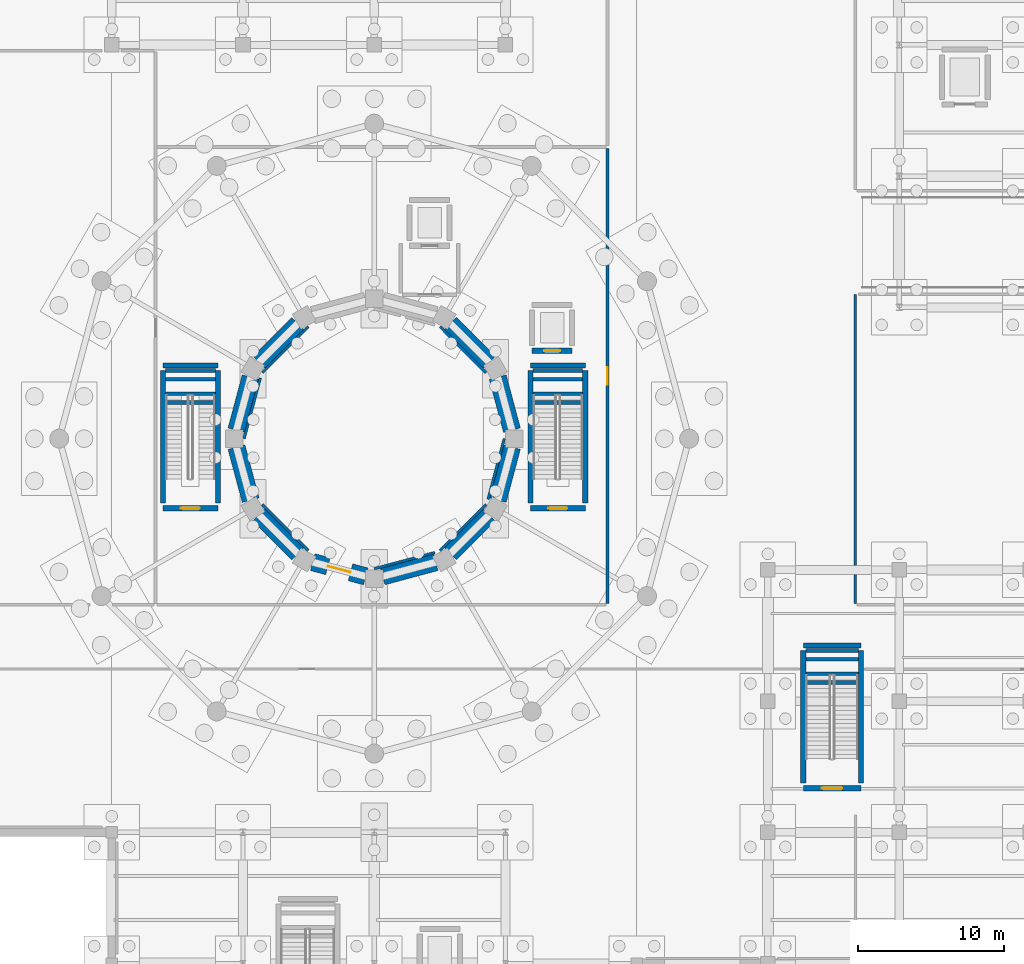
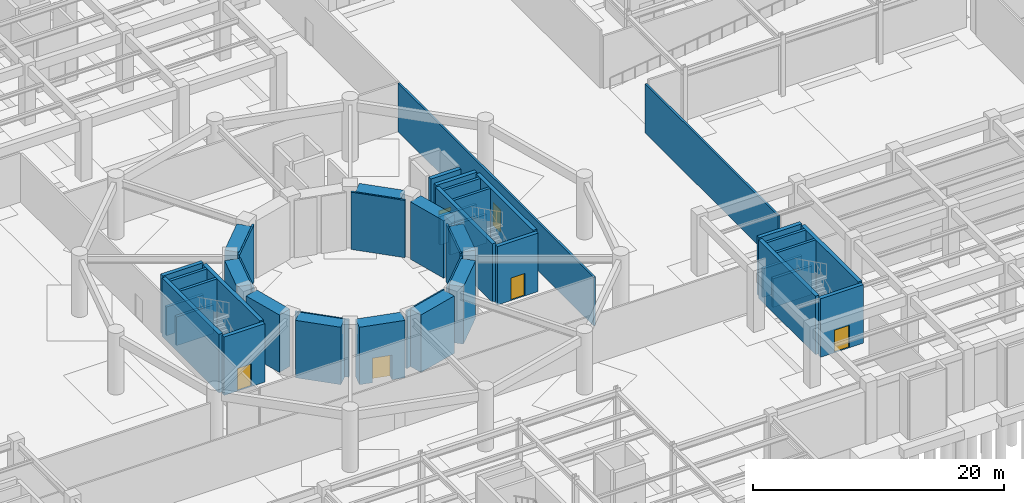
# One storey, part 19 of 36: 44 walls, 6 doors, 6 openings.
"""IFC4 building model written with IfcOpenShell, lengths in metres."""

from ifc_helpers import new_model, si_unit, direction, frame, frame_2d, origin, place, context, subcontext, project, spatial, rectangle, extrude, material, layer, layer_set, type_object, element, fill, save


model = new_model("IFC4")

# Units and contexts
model_context = context("Model", 3, precision=1e-05, world=origin(), true_north=direction((0.0, 1.0)))
body_context = subcontext(model_context, "Body", "Model", "MODEL_VIEW")
ifc_project = project(units=[si_unit("LENGTHUNIT", "METRE"), si_unit("AREAUNIT", "SQUARE_METRE"), si_unit("VOLUMEUNIT", "CUBIC_METRE"), si_unit("PLANEANGLEUNIT", "RADIAN"), si_unit("MASSUNIT", "GRAM", prefix="KILO")], contexts=[model_context])

# Site, building, storey
site_placement = place(None, origin())
site = spatial("IfcSite", under=ifc_project, at=site_placement, CompositionType="ELEMENT")
building_placement = place(site_placement, origin())
building = spatial("IfcBuilding", under=site, at=building_placement, Name="Haizhuo Lancet Aquarium", CompositionType="ELEMENT")
storey_placement = place(building_placement, frame((0.0, 0.0, -6.0)))
storey = spatial("IfcBuildingStorey", under=building, at=storey_placement, Name="B1", CompositionType="ELEMENT", Elevation=-6.0)

# Walls
ifc_material_1 = material(Name="Concrete C40/50", Category="concrete")
ifc_layer_1 = layer(ifc_material_1, 0.179931640625)
ifc_layer_set_1 = layer_set([ifc_layer_1], Name="Concrete C40/50")
wall_type_1 = type_object("IfcWallType", Name="IWL-LAB-180", PredefinedType="PARTITIONING", material=ifc_layer_set_1)
wall_1_placement = place(storey_placement, frame((-7.674072265625, -4.52001953125, 0.0), z_axis=(0.0, 0.0, 1.0), x_axis=(0.707106781187, -0.707106781187, 0.0)))
element("IfcWall", 1, at=wall_1_placement, inside=storey, type_object=wall_type_1, Name="B1 partition wall 8", PredefinedType="PARTITIONING", context=body_context, shape_type="SweptSolid", body=[
    extrude(rectangle(XDim=4.46044921875, YDim=0.179931640625, at=frame_2d((2.230224609375, 0.0))), origin(), (0.0, 0.0, 1.0), 5.5849609375),
])
wall_2_placement = place(storey_placement, frame((0.0048828125, -8.923095703125, 0.0), z_axis=(0.0, 0.0, 1.0), x_axis=(0.966056646031, 0.258330324701, 0.0)))
element("IfcWall", 2, at=wall_2_placement, inside=storey, type_object=wall_type_1, Name="B1 partition wall 9", PredefinedType="PARTITIONING", context=body_context, shape_type="SweptSolid", body=[
    extrude(rectangle(XDim=4.301025390625, YDim=0.179931640625, at=frame_2d((2.150390625, 0.0))), origin(), (0.0, 0.0, 1.0), 5.5849609375),
])
wall_3_placement = place(storey_placement, frame((4.513916015625, -7.674072265625, 0.0), z_axis=(0.0, 0.0, 1.0), x_axis=(0.707789962464, 0.706422939205, 0.0)))
element("IfcWall", 3, at=wall_3_placement, inside=storey, type_object=wall_type_1, Name="B1 partition wall 10", PredefinedType="PARTITIONING", context=body_context, shape_type="SweptSolid", body=[
    extrude(rectangle(XDim=4.46484375, YDim=0.179931640625, at=frame_2d((2.232421875, 0.0))), origin(), (0.0, 0.0, 1.0), 5.5849609375),
])
wall_4_placement = place(storey_placement, frame((7.81201171875, -4.159912109375, 0.0), z_axis=(0.0, 0.0, 1.0), x_axis=(0.257764881652, 0.966207672184, 0.0)))
element("IfcWall", 4, at=wall_4_placement, inside=storey, type_object=wall_type_1, Name="B1 partition wall 11", PredefinedType="PARTITIONING", context=body_context, shape_type="SweptSolid", body=[
    extrude(rectangle(XDim=4.310546875, YDim=0.179931640625, at=frame_2d((2.1552734375, 0.0))), origin(), (0.0, 0.0, 1.0), 5.5849609375),
])
for number, where, z_axis, x_axis, name in (
    (5, (7.674072265625, 4.513916015625, 0.0), (0.0, 0.0, 1.0), (-0.706422939205, 0.707789962464, 0.0), "B1 partition wall 12"),
    (6, (-4.513916015625, 7.674072265625, 0.0), (0.0, 0.0, 1.0), (-0.707789962464, -0.706422939205, 0.0), "B1 partition wall 15"),
):
    element("IfcWall", number, at=place(storey_placement, frame(where, z_axis=z_axis, x_axis=x_axis)), inside=storey, type_object=wall_type_1, Name=name, PredefinedType="PARTITIONING", context=body_context, shape_type="SweptSolid", body=[
        extrude(rectangle(XDim=4.46484375, YDim=0.179931640625, at=frame_2d((2.232421875, 0.0))), origin(), (0.0, 0.0, 1.0), 5.5849609375),
    ])
wall_5_placement = place(storey_placement, frame((-7.81201171875, 4.159912109375, 0.0), z_axis=(0.0, 0.0, 1.0), x_axis=(-0.258330324701, -0.966056646031, 0.0)))
element("IfcWall", 7, at=wall_5_placement, inside=storey, type_object=wall_type_1, Name="B1 partition wall 16", PredefinedType="PARTITIONING", context=body_context, shape_type="SweptSolid", body=[
    extrude(rectangle(XDim=4.301025390625, YDim=0.179931640625, at=frame_2d((2.150390625, 0.0))), origin(), (0.0, 0.0, 1.0), 5.5849609375),
])
wall_6_placement = place(storey_placement, frame((33.0, 9.89990234375, 0.0), z_axis=(0.0, 0.0, 1.0), x_axis=(0.0, -1.0, 0.0)))
element("IfcWall", 8, at=wall_6_placement, inside=storey, type_object=wall_type_1, Name="B1 partition wall 49", PredefinedType="PARTITIONING", context=body_context, shape_type="SweptSolid", body=[
    extrude(rectangle(XDim=21.199951171875, YDim=0.179931640625, at=frame_2d((10.60009765625, 0.0))), origin(), (0.0, 0.0, 1.0), 4.784912109375),
])

# Wall, opening, door
wall_7_placement = place(storey_placement, frame((16.0, -11.300048828125, 0.0), z_axis=(0.0, 0.0, 1.0), x_axis=(0.0, 1.0, 0.0)))
wall_7 = element("IfcWall", 9, at=wall_7_placement, inside=storey, type_object=wall_type_1, Name="B1 partition wall 72", PredefinedType="PARTITIONING", context=body_context, shape_type="SweptSolid", body=[
    extrude(rectangle(XDim=31.199951171875, YDim=0.179931640625, at=frame_2d((15.60009765625, 0.0))), origin(), (0.0, 0.0, 1.0), 4.735107421875),
])
opening_1_placement = place(wall_7_placement, frame((15.0, 0.0, 0.0)))
opening_1 = element("IfcOpeningElement", 10, at=opening_1_placement, cuts=wall_7, Name="Opening D-04", PredefinedType="OPENING", context=body_context, shape_type="SweptSolid", body=[
    extrude(rectangle(XDim=1.199951171875, YDim=2.199951171875, at=frame_2d((0.60009765625, 1.10009765625))), frame((0.0, 0.099853515625, 0.0), z_axis=(0.0, -1.0, 0.0), x_axis=(1.0, 0.0, 0.0)), (0.0, 0.0, 1.0), 0.199932),
])
ifc_material_2 = material(Name="Steel S355", Category="steel")
door_type_1 = type_object("IfcDoorType", Name="IDR-LAB-1200x2200", OperationType="NOTDEFINED", PredefinedType="DOOR", material=ifc_material_2)
door_1_placement = place(opening_1_placement, origin())
door_1 = element("IfcDoor", 11, at=door_1_placement, inside=storey, type_object=door_type_1, Name="B1 Pelagic Sand Filter Gallery door", OperationType="SINGLE_SWING_LEFT", OverallHeight=2.199951171875, OverallWidth=1.199951171875, PredefinedType="DOOR", context=body_context, shape_type="SweptSolid", body=[
    extrude(rectangle(XDim=1.199951171875, YDim=2.199951171875, at=frame_2d((0.60009765625, 1.10009765625))), frame((0.0, 0.02490234375, 0.0), z_axis=(0.0, -1.0, 0.0), x_axis=(1.0, 0.0, 0.0)), (0.0, 0.0, 1.0), 0.050048828125),
])
fill(opening_1, door_1)

# Walls
ifc_layer_2 = layer(ifc_material_1, 0.35009765625)
ifc_layer_set_2 = layer_set([ifc_layer_2], Name="Concrete C40/50")
wall_type_2 = type_object("IfcWallType", Name="WL-CORE-350", PredefinedType="SHEAR", material=ifc_layer_set_2)
for number, where, z_axis, x_axis, name in (
    (12, (-14.300048828125, 3.074951171875, 0.0), (0.0, 0.0, 1.0), (1.0, 0.0, 0.0), "B1 ST-01 landing support wall"),
    (13, (-14.300048828125, 4.675048828125, 0.0), (0.0, 0.0, 1.0), (1.0, 0.0, 0.0), "B1 ST-01 far landing support wall"),
):
    element("IfcWall", number, at=place(storey_placement, frame(where, z_axis=z_axis, x_axis=x_axis)), inside=storey, type_object=wall_type_2, Name=name, PredefinedType="SHEAR", context=body_context, shape_type="SweptSolid", body=[
        extrude(rectangle(XDim=3.400146484375, YDim=0.25, at=frame_2d((1.7001953125, 0.0))), origin(), (0.0, 0.0, 1.0), 2.800048828125),
    ])
for number, where, z_axis, x_axis, name in (
    (14, (-14.300048828125, 2.47509765625, 0.0), (0.0, 0.0, 1.0), (1.0, 0.0, 0.0), "B1 ST-01 upper landing support wall UP1"),
    (15, (-14.300048828125, 4.074951171875, 0.0), (0.0, 0.0, 1.0), (1.0, 0.0, 0.0), "B1 ST-01 upper landing support wall UP2"),
):
    element("IfcWall", number, at=place(storey_placement, frame(where, z_axis=z_axis, x_axis=x_axis)), inside=storey, type_object=wall_type_2, Name=name, PredefinedType="SHEAR", context=body_context, shape_type="SweptSolid", body=[
        extrude(rectangle(XDim=3.400146484375, YDim=0.25, at=frame_2d((1.7001953125, 0.0))), origin(), (0.0, 0.0, 1.0), 5.699951171875),
    ])

# Wall, opening, door
wall_8_placement = place(storey_placement, frame((-14.47509765625, -4.77490234375, 0.0), z_axis=(0.0, 0.0, 1.0), x_axis=(1.0, 0.0, 0.0)))
wall_8 = element("IfcWall", 16, at=wall_8_placement, inside=storey, type_object=wall_type_2, Name="B1 ST-01 core shear wall S", PredefinedType="SHEAR", context=body_context, shape_type="SweptSolid", body=[
    extrude(rectangle(XDim=3.75, YDim=0.35009765625, at=frame_2d((1.875, 0.0))), origin(), (0.0, 0.0, 1.0), 5.699951171875),
])
opening_2_placement = place(wall_8_placement, frame((1.22509765625, 0.0, 0.0)))
opening_2 = element("IfcOpeningElement", 17, at=opening_2_placement, cuts=wall_8, Name="Opening FD-02", PredefinedType="OPENING", context=body_context, shape_type="SweptSolid", body=[
    extrude(rectangle(XDim=1.300048828125, YDim=2.199951171875, at=frame_2d((0.64990234375, 1.10009765625))), frame((0.0, 0.18505859375, 0.0), z_axis=(0.0, -1.0, 0.0), x_axis=(1.0, 0.0, 0.0)), (0.0, 0.0, 1.0), 0.370098),
])
door_type_2 = type_object("IfcDoorType", Name="IDR-STAIR-1300x2200", OperationType="NOTDEFINED", PredefinedType="DOOR", material=ifc_material_2)
door_2_placement = place(opening_2_placement, origin())
door_2 = element("IfcDoor", 18, at=door_2_placement, inside=storey, type_object=door_type_2, Name="B1 ST-01 stairwell fire door", OperationType="SINGLE_SWING_LEFT", OverallHeight=2.199951171875, OverallWidth=1.300048828125, PredefinedType="DOOR", context=body_context, shape_type="SweptSolid", body=[
    extrude(rectangle(XDim=1.300048828125, YDim=2.199951171875, at=frame_2d((0.64990234375, 1.10009765625))), frame((0.0, 0.02490234375, 0.0), z_axis=(0.0, -1.0, 0.0), x_axis=(1.0, 0.0, 0.0)), (0.0, 0.0, 1.0), 0.050048828125),
])
fill(opening_2, door_2)

# Walls
wall_9_placement = place(storey_placement, frame((-14.47509765625, 5.02490234375, 0.0), z_axis=(0.0, 0.0, 1.0), x_axis=(1.0, 0.0, 0.0)))
element("IfcWall", 19, at=wall_9_placement, inside=storey, type_object=wall_type_2, Name="B1 ST-01 core shear wall N", PredefinedType="SHEAR", context=body_context, shape_type="SweptSolid", body=[
    extrude(rectangle(XDim=3.75, YDim=0.35009765625, at=frame_2d((1.875, 0.0))), origin(), (0.0, 0.0, 1.0), 5.699951171875),
])
for number, where, z_axis, x_axis, name in (
    (20, (-14.47509765625, -4.425048828125, 0.0), (0.0, 0.0, 1.0), (0.0, 1.0, 0.0), "B1 ST-01 core shear wall W"),
    (21, (-10.72509765625, -4.425048828125, 0.0), (0.0, 0.0, 1.0), (0.0, 1.0, 0.0), "B1 ST-01 core shear wall E"),
):
    element("IfcWall", number, at=place(storey_placement, frame(where, z_axis=z_axis, x_axis=x_axis)), inside=storey, type_object=wall_type_2, Name=name, PredefinedType="SHEAR", context=body_context, shape_type="SweptSolid", body=[
        extrude(rectangle(XDim=9.10009765625, YDim=0.35009765625, at=frame_2d((4.550048828125, 0.0))), origin(), (0.0, 0.0, 1.0), 5.699951171875),
    ])
for number, where, z_axis, x_axis, name in (
    (22, (10.89990234375, 3.074951171875, 0.0), (0.0, 0.0, 1.0), (1.0, 0.0, 0.0), "B1 ST-02 landing support wall"),
    (23, (10.89990234375, 4.675048828125, 0.0), (0.0, 0.0, 1.0), (1.0, 0.0, 0.0), "B1 ST-02 far landing support wall"),
):
    element("IfcWall", number, at=place(storey_placement, frame(where, z_axis=z_axis, x_axis=x_axis)), inside=storey, type_object=wall_type_2, Name=name, PredefinedType="SHEAR", context=body_context, shape_type="SweptSolid", body=[
        extrude(rectangle(XDim=3.400146484375, YDim=0.25, at=frame_2d((1.7001953125, 0.0))), origin(), (0.0, 0.0, 1.0), 2.800048828125),
    ])
for number, where, z_axis, x_axis, name in (
    (24, (10.89990234375, 2.47509765625, 0.0), (0.0, 0.0, 1.0), (1.0, 0.0, 0.0), "B1 ST-02 upper landing support wall UP1"),
    (25, (10.89990234375, 4.074951171875, 0.0), (0.0, 0.0, 1.0), (1.0, 0.0, 0.0), "B1 ST-02 upper landing support wall UP2"),
):
    element("IfcWall", number, at=place(storey_placement, frame(where, z_axis=z_axis, x_axis=x_axis)), inside=storey, type_object=wall_type_2, Name=name, PredefinedType="SHEAR", context=body_context, shape_type="SweptSolid", body=[
        extrude(rectangle(XDim=3.400146484375, YDim=0.25, at=frame_2d((1.7001953125, 0.0))), origin(), (0.0, 0.0, 1.0), 5.699951171875),
    ])

# Wall, opening, door
wall_10_placement = place(storey_placement, frame((10.72509765625, -4.77490234375, 0.0), z_axis=(0.0, 0.0, 1.0), x_axis=(1.0, 0.0, 0.0)))
wall_10 = element("IfcWall", 26, at=wall_10_placement, inside=storey, type_object=wall_type_2, Name="B1 ST-02 core shear wall S", PredefinedType="SHEAR", context=body_context, shape_type="SweptSolid", body=[
    extrude(rectangle(XDim=3.75, YDim=0.35009765625, at=frame_2d((1.875, 0.0))), origin(), (0.0, 0.0, 1.0), 5.699951171875),
])
opening_3_placement = place(wall_10_placement, frame((1.22509765625, 0.0, 0.0)))
opening_3 = element("IfcOpeningElement", 27, at=opening_3_placement, cuts=wall_10, Name="Opening FD-02", PredefinedType="OPENING", context=body_context, shape_type="SweptSolid", body=[
    extrude(rectangle(XDim=1.300048828125, YDim=2.199951171875, at=frame_2d((0.64990234375, 1.10009765625))), frame((0.0, 0.18505859375, 0.0), z_axis=(0.0, -1.0, 0.0), x_axis=(1.0, 0.0, 0.0)), (0.0, 0.0, 1.0), 0.370098),
])
door_3_placement = place(opening_3_placement, origin())
door_3 = element("IfcDoor", 28, at=door_3_placement, inside=storey, type_object=door_type_2, Name="B1 ST-02 stairwell fire door", OperationType="SINGLE_SWING_RIGHT", OverallHeight=2.199951171875, OverallWidth=1.300048828125, PredefinedType="DOOR", context=body_context, shape_type="SweptSolid", body=[
    extrude(rectangle(XDim=1.300048828125, YDim=2.199951171875, at=frame_2d((0.64990234375, 1.10009765625))), frame((0.0, 0.02490234375, 0.0), z_axis=(0.0, -1.0, 0.0), x_axis=(1.0, 0.0, 0.0)), (0.0, 0.0, 1.0), 0.050048828125),
])
fill(opening_3, door_3)

# Walls
wall_11_placement = place(storey_placement, frame((10.72509765625, 5.02490234375, 0.0), z_axis=(0.0, 0.0, 1.0), x_axis=(1.0, 0.0, 0.0)))
element("IfcWall", 29, at=wall_11_placement, inside=storey, type_object=wall_type_2, Name="B1 ST-02 core shear wall N", PredefinedType="SHEAR", context=body_context, shape_type="SweptSolid", body=[
    extrude(rectangle(XDim=3.75, YDim=0.35009765625, at=frame_2d((1.875, 0.0))), origin(), (0.0, 0.0, 1.0), 5.699951171875),
])
for number, where, z_axis, x_axis, name in (
    (30, (10.72509765625, -4.425048828125, 0.0), (0.0, 0.0, 1.0), (0.0, 1.0, 0.0), "B1 ST-02 core shear wall W"),
    (31, (14.47509765625, -4.425048828125, 0.0), (0.0, 0.0, 1.0), (0.0, 1.0, 0.0), "B1 ST-02 core shear wall E"),
):
    element("IfcWall", number, at=place(storey_placement, frame(where, z_axis=z_axis, x_axis=x_axis)), inside=storey, type_object=wall_type_2, Name=name, PredefinedType="SHEAR", context=body_context, shape_type="SweptSolid", body=[
        extrude(rectangle(XDim=9.10009765625, YDim=0.35009765625, at=frame_2d((4.550048828125, 0.0))), origin(), (0.0, 0.0, 1.0), 5.699951171875),
    ])
for number, where, z_axis, x_axis, name in (
    (32, (29.60009765625, -16.125, 0.0), (0.0, 0.0, 1.0), (1.0, 0.0, 0.0), "B1 ST-04 landing support wall"),
    (33, (29.60009765625, -14.52490234375, 0.0), (0.0, 0.0, 1.0), (1.0, 0.0, 0.0), "B1 ST-04 far landing support wall"),
):
    element("IfcWall", number, at=place(storey_placement, frame(where, z_axis=z_axis, x_axis=x_axis)), inside=storey, type_object=wall_type_2, Name=name, PredefinedType="SHEAR", context=body_context, shape_type="SweptSolid", body=[
        extrude(rectangle(XDim=3.599853515625, YDim=0.25, at=frame_2d((1.7998046875, 0.0))), origin(), (0.0, 0.0, 1.0), 2.800048828125),
    ])
for number, where, z_axis, x_axis, name in (
    (34, (29.60009765625, -16.72509765625, 0.0), (0.0, 0.0, 1.0), (1.0, 0.0, 0.0), "B1 ST-04 upper landing support wall UP1"),
    (35, (29.60009765625, -15.125, 0.0), (0.0, 0.0, 1.0), (1.0, 0.0, 0.0), "B1 ST-04 upper landing support wall UP2"),
):
    element("IfcWall", number, at=place(storey_placement, frame(where, z_axis=z_axis, x_axis=x_axis)), inside=storey, type_object=wall_type_2, Name=name, PredefinedType="SHEAR", context=body_context, shape_type="SweptSolid", body=[
        extrude(rectangle(XDim=3.599853515625, YDim=0.25, at=frame_2d((1.7998046875, 0.0))), origin(), (0.0, 0.0, 1.0), 5.699951171875),
    ])

# Wall, opening, door
wall_12_placement = place(storey_placement, frame((29.425048828125, -23.97509765625, 0.0), z_axis=(0.0, 0.0, 1.0), x_axis=(1.0, 0.0, 0.0)))
wall_12 = element("IfcWall", 36, at=wall_12_placement, inside=storey, type_object=wall_type_2, Name="B1 ST-04 core shear wall S", PredefinedType="SHEAR", context=body_context, shape_type="SweptSolid", body=[
    extrude(rectangle(XDim=3.949951171875, YDim=0.35009765625, at=frame_2d((1.97509765625, 0.0))), origin(), (0.0, 0.0, 1.0), 5.699951171875),
])
opening_4_placement = place(wall_12_placement, frame((1.27490234375, 0.0, 0.0)))
opening_4 = element("IfcOpeningElement", 37, at=opening_4_placement, cuts=wall_12, Name="Opening FD-01", PredefinedType="OPENING", context=body_context, shape_type="SweptSolid", body=[
    extrude(rectangle(XDim=1.39990234375, YDim=2.199951171875, at=frame_2d((0.699951171875, 1.10009765625))), frame((0.0, 0.18505859375, 0.0), z_axis=(0.0, -1.0, 0.0), x_axis=(1.0, 0.0, 0.0)), (0.0, 0.0, 1.0), 0.370098),
])
door_type_3 = type_object("IfcDoorType", Name="IDR-STAIR-1400x2200", OperationType="NOTDEFINED", PredefinedType="DOOR", material=ifc_material_2)
door_4_placement = place(opening_4_placement, origin())
door_4 = element("IfcDoor", 38, at=door_4_placement, inside=storey, type_object=door_type_3, Name="B1 ST-04 stairwell fire door", OperationType="SINGLE_SWING_RIGHT", OverallHeight=2.199951171875, OverallWidth=1.39990234375, PredefinedType="DOOR", context=body_context, shape_type="SweptSolid", body=[
    extrude(rectangle(XDim=1.39990234375, YDim=2.199951171875, at=frame_2d((0.699951171875, 1.10009765625))), frame((0.0, 0.02490234375, 0.0), z_axis=(0.0, -1.0, 0.0), x_axis=(1.0, 0.0, 0.0)), (0.0, 0.0, 1.0), 0.050048828125),
])
fill(opening_4, door_4)

# Walls
wall_13_placement = place(storey_placement, frame((29.425048828125, -14.175048828125, 0.0), z_axis=(0.0, 0.0, 1.0), x_axis=(1.0, 0.0, 0.0)))
element("IfcWall", 39, at=wall_13_placement, inside=storey, type_object=wall_type_2, Name="B1 ST-04 core shear wall N", PredefinedType="SHEAR", context=body_context, shape_type="SweptSolid", body=[
    extrude(rectangle(XDim=3.949951171875, YDim=0.35009765625, at=frame_2d((1.97509765625, 0.0))), origin(), (0.0, 0.0, 1.0), 5.699951171875),
])
for number, where, z_axis, x_axis, name in (
    (40, (29.425048828125, -23.625, 0.0), (0.0, 0.0, 1.0), (0.0, 1.0, 0.0), "B1 ST-04 core shear wall W"),
    (41, (33.375, -23.625, 0.0), (0.0, 0.0, 1.0), (0.0, 1.0, 0.0), "B1 ST-04 core shear wall E"),
):
    element("IfcWall", number, at=place(storey_placement, frame(where, z_axis=z_axis, x_axis=x_axis)), inside=storey, type_object=wall_type_2, Name=name, PredefinedType="SHEAR", context=body_context, shape_type="SweptSolid", body=[
        extrude(rectangle(XDim=9.10009765625, YDim=0.35009765625, at=frame_2d((4.550048828125, 0.0))), origin(), (0.0, 0.0, 1.0), 5.699951171875),
    ])

# Wall, opening, door
wall_14_placement = place(storey_placement, frame((10.824951171875, 6.02490234375, 0.0), z_axis=(0.0, 0.0, 1.0), x_axis=(1.0, 0.0, 0.0)))
wall_14 = element("IfcWall", 42, at=wall_14_placement, inside=storey, type_object=wall_type_2, Name="B1 LP-01 lift shaft wall -Y", PredefinedType="SHEAR", context=body_context, shape_type="SweptSolid", body=[
    extrude(rectangle(XDim=2.75, YDim=0.35009765625, at=frame_2d((1.375, 0.0))), origin(), (0.0, 0.0, 1.0), 5.699951171875),
])
opening_5_placement = place(wall_14_placement, frame((0.824951171875, 0.0, 0.0)))
opening_5 = element("IfcOpeningElement", 43, at=opening_5_placement, cuts=wall_14, Name="Opening LD-01", PredefinedType="OPENING", context=body_context, shape_type="SweptSolid", body=[
    extrude(rectangle(XDim=1.10009765625, YDim=2.199951171875, at=frame_2d((0.550048828125, 1.10009765625))), frame((0.0, 0.18505859375, 0.0), z_axis=(0.0, -1.0, 0.0), x_axis=(1.0, 0.0, 0.0)), (0.0, 0.0, 1.0), 0.370098),
])
door_type_4 = type_object("IfcDoorType", Name="IDR-LIFT-1100x2200", OperationType="NOTDEFINED", PredefinedType="DOOR", material=ifc_material_2)
door_5_placement = place(opening_5_placement, origin())
door_5 = element("IfcDoor", 44, at=door_5_placement, inside=storey, type_object=door_type_4, Name="B1 LP-01 sliding lift landing door", OperationType="DOUBLE_DOOR_SLIDING", OverallHeight=2.199951171875, OverallWidth=1.10009765625, PredefinedType="DOOR", context=body_context, shape_type="SweptSolid", body=[
    extrude(rectangle(XDim=1.10009765625, YDim=2.199951171875, at=frame_2d((0.550048828125, 1.10009765625))), frame((0.0, 0.02490234375, 0.0), z_axis=(0.0, -1.0, 0.0), x_axis=(1.0, 0.0, 0.0)), (0.0, 0.0, 1.0), 0.050048828125),
])
fill(opening_5, door_5)

# Walls
ifc_material_3 = material(Name="Concrete C45/55", Category="concrete")
ifc_layer_3 = layer(ifc_material_3, 1.199951171875)
ifc_layer_set_3 = layer_set([ifc_layer_3], Name="Concrete C45/55")
wall_type_3 = type_object("IfcWallType", Name="WL-TANK-1200", PredefinedType="SHEAR", material=ifc_layer_set_3)
wall_15_placement = place(storey_placement, frame((9.445068359375, 0.580078125, 0.0), z_axis=(0.0, 0.0, 1.0), x_axis=(-0.259009169026, 0.965874862682, 0.0)))
element("IfcWall", 45, at=wall_15_placement, inside=storey, type_object=wall_type_3, Name="B1 Pelagic Ocean Tank hydrostatic wall chord 1", PredefinedType="SHEAR", context=body_context, shape_type="SweptSolid", body=[
    extrude(rectangle(XDim=3.7685546875, YDim=1.199951171875, at=frame_2d((1.88427734375, 0.0))), origin(), (0.0, 0.0, 1.0), 5.60009765625),
])
for number, where, z_axis, x_axis, name in (
    (46, (7.889892578125, 5.22412109375, 0.0), (0.0, 0.0, 1.0), (-0.707106781187, 0.707106781187, 0.0), "B1 Pelagic Ocean Tank hydrostatic wall chord 2"),
    (47, (-5.22412109375, 7.889892578125, 0.0), (0.0, 0.0, 1.0), (-0.707106781187, -0.707106781187, 0.0), "B1 Pelagic Ocean Tank hydrostatic wall chord 5"),
):
    element("IfcWall", number, at=place(storey_placement, frame(where, z_axis=z_axis, x_axis=x_axis)), inside=storey, type_object=wall_type_3, Name=name, PredefinedType="SHEAR", context=body_context, shape_type="SweptSolid", body=[
        extrude(rectangle(XDim=3.77001953125, YDim=1.199951171875, at=frame_2d((1.885009765625, 0.0))), origin(), (0.0, 0.0, 1.0), 5.60009765625),
    ])
for number, where, z_axis, x_axis, name in (
    (48, (-8.468994140625, 4.219970703125, 0.0), (0.0, 0.0, 1.0), (-0.259009169026, -0.965874862682, 0.0), "B1 Pelagic Ocean Tank hydrostatic wall chord 6"),
    (49, (-9.445068359375, -0.580078125, 0.0), (0.0, 0.0, 1.0), (0.259009169026, -0.965874862682, 0.0), "B1 Pelagic Ocean Tank hydrostatic wall chord 7"),
):
    element("IfcWall", number, at=place(storey_placement, frame(where, z_axis=z_axis, x_axis=x_axis)), inside=storey, type_object=wall_type_3, Name=name, PredefinedType="SHEAR", context=body_context, shape_type="SweptSolid", body=[
        extrude(rectangle(XDim=3.7685546875, YDim=1.199951171875, at=frame_2d((1.88427734375, 0.0))), origin(), (0.0, 0.0, 1.0), 5.60009765625),
    ])
wall_16_placement = place(storey_placement, frame((-7.889892578125, -5.22412109375, 0.0), z_axis=(0.0, 0.0, 1.0), x_axis=(0.707106781187, -0.707106781187, 0.0)))
element("IfcWall", 50, at=wall_16_placement, inside=storey, type_object=wall_type_3, Name="B1 Pelagic Ocean Tank hydrostatic wall chord 8", PredefinedType="SHEAR", context=body_context, shape_type="SweptSolid", body=[
    extrude(rectangle(XDim=3.77001953125, YDim=1.199951171875, at=frame_2d((1.885009765625, 0.0))), origin(), (0.0, 0.0, 1.0), 5.60009765625),
])

# Wall, opening, door
wall_17_placement = place(storey_placement, frame((-4.219970703125, -8.468994140625, 0.0), z_axis=(0.0, 0.0, 1.0), x_axis=(0.965874862682, -0.259009169026, 0.0)))
wall_17 = element("IfcWall", 51, at=wall_17_placement, inside=storey, type_object=wall_type_3, Name="B1 Pelagic Ocean Tank hydrostatic wall chord 9", PredefinedType="SHEAR", context=body_context, shape_type="SweptSolid", body=[
    extrude(rectangle(XDim=3.7685546875, YDim=1.199951171875, at=frame_2d((1.88427734375, 0.0))), origin(), (0.0, 0.0, 1.0), 5.60009765625),
])
opening_6_placement = place(wall_17_placement, frame((1.083984375, 0.0, 0.0)))
opening_6 = element("IfcOpeningElement", 52, at=opening_6_placement, cuts=wall_17, Name="Opening D-09", PredefinedType="OPENING", context=body_context, shape_type="SweptSolid", body=[
    extrude(rectangle(XDim=1.60009765625, YDim=2.39990234375, at=frame_2d((0.800048828125, 1.199951171875))), frame((0.0, 0.60986328125, 0.0), z_axis=(0.0, -1.0, 0.0), x_axis=(1.0, 0.0, 0.0)), (0.0, 0.0, 1.0), 1.219951),
])
door_type_5 = type_object("IfcDoorType", Name="IDR-PLT-1600x2400", OperationType="NOTDEFINED", PredefinedType="DOOR", material=ifc_material_2)
door_6_placement = place(opening_6_placement, origin())
door_6 = element("IfcDoor", 53, at=door_6_placement, inside=storey, type_object=door_type_5, Name="B1 Pelagic Ocean Tank Life Support Undercroft door", OperationType="DOUBLE_DOOR_SINGLE_SWING", OverallHeight=2.39990234375, OverallWidth=1.60009765625, PredefinedType="DOOR", context=body_context, shape_type="SweptSolid", body=[
    extrude(rectangle(XDim=1.60009765625, YDim=2.39990234375, at=frame_2d((0.800048828125, 1.199951171875))), frame((0.0, 0.02490234375, 0.0), z_axis=(0.0, -1.0, 0.0), x_axis=(1.0, 0.0, 0.0)), (0.0, 0.0, 1.0), 0.050048828125),
])
fill(opening_6, door_6)

# Walls
wall_18_placement = place(storey_placement, frame((0.580078125, -9.445068359375, 0.0), z_axis=(0.0, 0.0, 1.0), x_axis=(0.965874862682, 0.259009169026, 0.0)))
element("IfcWall", 54, at=wall_18_placement, inside=storey, type_object=wall_type_3, Name="B1 Pelagic Ocean Tank hydrostatic wall chord 10", PredefinedType="SHEAR", context=body_context, shape_type="SweptSolid", body=[
    extrude(rectangle(XDim=3.7685546875, YDim=1.199951171875, at=frame_2d((1.88427734375, 0.0))), origin(), (0.0, 0.0, 1.0), 5.60009765625),
])
wall_19_placement = place(storey_placement, frame((5.22412109375, -7.889892578125, 0.0), z_axis=(0.0, 0.0, 1.0), x_axis=(0.707106781187, 0.707106781187, 0.0)))
element("IfcWall", 55, at=wall_19_placement, inside=storey, type_object=wall_type_3, Name="B1 Pelagic Ocean Tank hydrostatic wall chord 11", PredefinedType="SHEAR", context=body_context, shape_type="SweptSolid", body=[
    extrude(rectangle(XDim=3.77001953125, YDim=1.199951171875, at=frame_2d((1.885009765625, 0.0))), origin(), (0.0, 0.0, 1.0), 5.60009765625),
])
wall_20_placement = place(storey_placement, frame((8.468994140625, -4.219970703125, 0.0), z_axis=(0.0, 0.0, 1.0), x_axis=(0.259009169026, 0.965874862682, 0.0)))
element("IfcWall", 56, at=wall_20_placement, inside=storey, type_object=wall_type_3, Name="B1 Pelagic Ocean Tank hydrostatic wall chord 12", PredefinedType="SHEAR", context=body_context, shape_type="SweptSolid", body=[
    extrude(rectangle(XDim=3.7685546875, YDim=1.199951171875, at=frame_2d((1.88427734375, 0.0))), origin(), (0.0, 0.0, 1.0), 5.60009765625),
])

save(model, "model.ifc")
